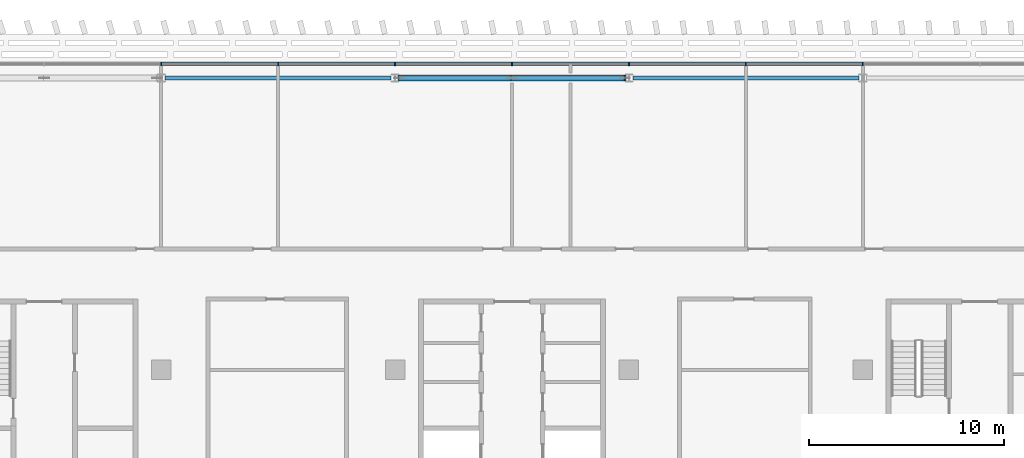
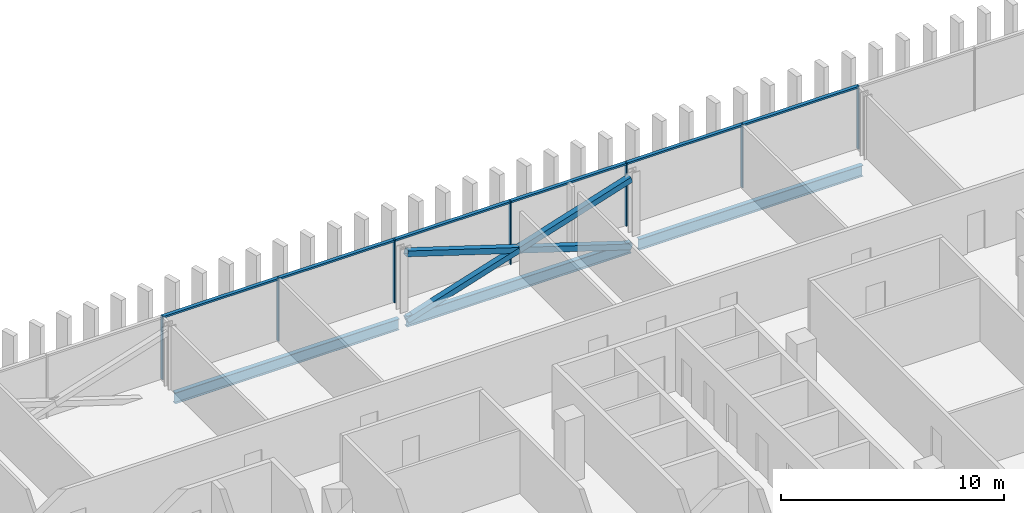
# One storey, part 10 of 34: 16 members, 3 beams, 1 element without a shape of its own.
"""IFC4 building model written with IfcOpenShell, lengths in metres."""

from ifc_helpers import new_model, si_unit, direction, frame, origin, origin_2d, place, context, subcontext, project, spatial, rectangle, hollow_rectangle, i_section, extrude, material, material_profile, profile_set, type_object, element, aggregate, save


model = new_model("IFC4")

# Units and contexts
model_context = context("Model", 3, precision=1e-05, world=origin(), true_north=direction((0.0, 1.0)))
body_context = subcontext(model_context, "Body", "Model", "MODEL_VIEW")
ifc_project = project(units=[si_unit("LENGTHUNIT", "METRE"), si_unit("AREAUNIT", "SQUARE_METRE"), si_unit("VOLUMEUNIT", "CUBIC_METRE"), si_unit("PLANEANGLEUNIT", "RADIAN"), si_unit("MASSUNIT", "GRAM", prefix="KILO")], contexts=[model_context])

# Site, building, storey
site_placement = place(None, origin())
site = spatial("IfcSite", under=ifc_project, at=site_placement, CompositionType="ELEMENT")
building_placement = place(site_placement, origin())
building = spatial("IfcBuilding", under=site, at=building_placement, Name="Mahtab Terrace Research Tower", CompositionType="ELEMENT")
storey_placement = place(building_placement, frame((0.0, 0.0, 247.60009765625)))
storey = spatial("IfcBuildingStorey", under=building, at=storey_placement, Name="L60", CompositionType="ELEMENT", Elevation=247.60009765625)

# Members
ifc_material_1 = material(Name="Steel ASTM A500 Gr C", Category="steel")
ifc_material_profile_1 = material_profile(ifc_material_1, hollow_rectangle(XDim=0.3046875, YDim=0.3046875, WallThickness=0.015869140625, at=origin_2d()), Name="HSS12X12X5/8")
ifc_profile_set_1 = profile_set([ifc_material_profile_1], Name="Steel ASTM A500 Gr C")
member_type_1 = type_object("IfcMemberType", Name="HSS 12x12x5/8 brace XB121258", PredefinedType="BRACE", material=ifc_profile_set_1)
member_1_placement = place(storey_placement, frame((5.800537109375, 26.472900390625, -0.58056640625), z_axis=(-0.953338568311, 0.0, 0.301903252998), x_axis=(0.0, -1.0, 0.0)))
element("IfcMember", 1, at=member_1_placement, inside=storey, type_object=member_type_1, Name="Exoskeleton brace L60 05 a", PredefinedType="BRACE", context=body_context, shape_type="SweptSolid", body=[
    extrude(hollow_rectangle(XDim=0.3046875, YDim=0.3046875, WallThickness=0.015869140625, at=origin_2d()), origin(), (0.0, 0.0, 1.0), 12.1689453125),
])
for number, where, z_axis, x_axis, name in (
    (2, (-5.800537109375, 26.472900390625, -0.58056640625), (0.953338568311, 0.0, 0.301903252998), (0.0, 1.0, 0.0), "Exoskeleton brace L60 05 b1"),
    (3, (0.0, 26.472900390625, 1.25634765625), (0.953338568311, 0.0, 0.301903252998), (0.0, 1.0, 0.0), "Exoskeleton brace L60 05 b2"),
):
    element("IfcMember", number, at=place(storey_placement, frame(where, z_axis=z_axis, x_axis=x_axis)), inside=storey, type_object=member_type_1, Name=name, PredefinedType="BRACE", context=body_context, shape_type="SweptSolid", body=[
        extrude(hollow_rectangle(XDim=0.3046875, YDim=0.3046875, WallThickness=0.015869140625, at=origin_2d()), origin(), (0.0, 0.0, 1.0), 6.08447265625),
    ])

# Curtain wall, members
ifc_material_2 = material(Name="Office ribbon curtain wall")
curtain_wall_type = type_object("IfcCurtainWallType", Name="Office ribbon curtain wall", PredefinedType="NOTDEFINED", material=ifc_material_2)
curtain_wall_placement = place(storey_placement, origin())
curtain_wall = element("IfcCurtainWall", 4, at=curtain_wall_placement, inside=storey, type_object=curtain_wall_type, Name="EN.L60.3.3", PredefinedType="NOTDEFINED")
ifc_material_3 = material(Name="Natural anodised aluminium", Category="aluminium")
ifc_material_profile_2 = material_profile(ifc_material_3, rectangle(XDim=0.179931640625, YDim=0.06005859375, at=origin_2d()), Name="MULLION 60x180")
ifc_profile_set_2 = profile_set([ifc_material_profile_2], Name="Natural anodised aluminium")
member_type_2 = type_object("IfcMemberType", Name="Office ribbon curtain wall mullion", PredefinedType="MULLION", material=ifc_profile_set_2)
member_2_placement = place(storey_placement, frame((18.0, 27.195068359375, 0.0), z_axis=(0.0, 0.0, 1.0), x_axis=(0.0, -1.0, 0.0)))
member_2 = element("IfcMember", 5, at=member_2_placement, type_object=member_type_2, Name="CWO-7 mullion 6", PredefinedType="MULLION", context=body_context, shape_type="SweptSolid", body=[
    extrude(rectangle(XDim=0.179931640625, YDim=0.06005859375, at=origin_2d()), origin(), (0.0, 0.0, 1.0), 3.4599609375),
])
member_3_placement = place(storey_placement, frame((12.0, 27.195068359375, 0.0), z_axis=(0.0, 0.0, 1.0), x_axis=(0.0, -1.0, 0.0)))
member_3 = element("IfcMember", 6, at=member_3_placement, type_object=member_type_2, Name="CWO-7 mullion 7", PredefinedType="MULLION", context=body_context, shape_type="SweptSolid", body=[
    extrude(rectangle(XDim=0.179931640625, YDim=0.06005859375, at=origin_2d()), origin(), (0.0, 0.0, 1.0), 3.4599609375),
])
member_4_placement = place(storey_placement, frame((6.0, 27.195068359375, 0.0), z_axis=(0.0, 0.0, 1.0), x_axis=(0.0, -1.0, 0.0)))
member_4 = element("IfcMember", 7, at=member_4_placement, type_object=member_type_2, Name="CWO-7 mullion 8", PredefinedType="MULLION", context=body_context, shape_type="SweptSolid", body=[
    extrude(rectangle(XDim=0.179931640625, YDim=0.06005859375, at=origin_2d()), origin(), (0.0, 0.0, 1.0), 3.4599609375),
])
member_5_placement = place(storey_placement, frame((0.0, 27.195068359375, 0.0), z_axis=(0.0, 0.0, 1.0), x_axis=(0.0, -1.0, 0.0)))
member_5 = element("IfcMember", 8, at=member_5_placement, type_object=member_type_2, Name="CWO-7 mullion 9", PredefinedType="MULLION", context=body_context, shape_type="SweptSolid", body=[
    extrude(rectangle(XDim=0.179931640625, YDim=0.06005859375, at=origin_2d()), origin(), (0.0, 0.0, 1.0), 3.4599609375),
])
member_6_placement = place(storey_placement, frame((-6.0, 27.195068359375, 0.0), z_axis=(0.0, 0.0, 1.0), x_axis=(0.0, -1.0, 0.0)))
member_6 = element("IfcMember", 9, at=member_6_placement, type_object=member_type_2, Name="CWO-7 mullion 10", PredefinedType="MULLION", context=body_context, shape_type="SweptSolid", body=[
    extrude(rectangle(XDim=0.179931640625, YDim=0.06005859375, at=origin_2d()), origin(), (0.0, 0.0, 1.0), 3.4599609375),
])
member_7_placement = place(storey_placement, frame((-12.0, 27.195068359375, 0.0), z_axis=(0.0, 0.0, 1.0), x_axis=(0.0, -1.0, 0.0)))
member_7 = element("IfcMember", 10, at=member_7_placement, type_object=member_type_2, Name="CWO-7 mullion 11", PredefinedType="MULLION", context=body_context, shape_type="SweptSolid", body=[
    extrude(rectangle(XDim=0.179931640625, YDim=0.06005859375, at=origin_2d()), origin(), (0.0, 0.0, 1.0), 3.4599609375),
])
member_8_placement = place(storey_placement, frame((-18.0, 27.195068359375, 0.0), z_axis=(0.0, 0.0, 1.0), x_axis=(0.0, -1.0, 0.0)))
member_8 = element("IfcMember", 11, at=member_8_placement, type_object=member_type_2, Name="CWO-7 mullion 12", PredefinedType="MULLION", context=body_context, shape_type="SweptSolid", body=[
    extrude(rectangle(XDim=0.179931640625, YDim=0.06005859375, at=origin_2d()), origin(), (0.0, 0.0, 1.0), 3.4599609375),
])
ifc_material_profile_3 = material_profile(ifc_material_3, rectangle(XDim=0.179931640625, YDim=0.10009765625, at=origin_2d()), Name="TRANSOM 100x180")
ifc_profile_set_3 = profile_set([ifc_material_profile_3], Name="Natural anodised aluminium")
member_type_3 = type_object("IfcMemberType", Name="Office ribbon curtain wall transom", PredefinedType="USERDEFINED", material=ifc_profile_set_3)
member_9_placement = place(storey_placement, frame((17.969970703125, 27.195068359375, 3.409912109375), z_axis=(-1.0, 0.0, 0.0), x_axis=(0.0, -1.0, 0.0)))
member_9 = element("IfcMember", 12, at=member_9_placement, type_object=member_type_3, Name="CWO-7 transom 6", ObjectType="TRANSOM", PredefinedType="USERDEFINED", context=body_context, shape_type="SweptSolid", body=[
    extrude(rectangle(XDim=0.179931640625, YDim=0.10009765625, at=origin_2d()), origin(), (0.0, 0.0, 1.0), 5.93994140625),
])
member_10_placement = place(storey_placement, frame((11.969970703125, 27.195068359375, 3.409912109375), z_axis=(-1.0, 0.0, 0.0), x_axis=(0.0, -1.0, 0.0)))
member_10 = element("IfcMember", 13, at=member_10_placement, type_object=member_type_3, Name="CWO-7 transom 7", ObjectType="TRANSOM", PredefinedType="USERDEFINED", context=body_context, shape_type="SweptSolid", body=[
    extrude(rectangle(XDim=0.179931640625, YDim=0.10009765625, at=origin_2d()), origin(), (0.0, 0.0, 1.0), 5.93994140625),
])
member_11_placement = place(storey_placement, frame((5.969970703125, 27.195068359375, 3.409912109375), z_axis=(-1.0, 0.0, 0.0), x_axis=(0.0, -1.0, 0.0)))
member_11 = element("IfcMember", 14, at=member_11_placement, type_object=member_type_3, Name="CWO-7 transom 8", ObjectType="TRANSOM", PredefinedType="USERDEFINED", context=body_context, shape_type="SweptSolid", body=[
    extrude(rectangle(XDim=0.179931640625, YDim=0.10009765625, at=origin_2d()), origin(), (0.0, 0.0, 1.0), 5.93994140625),
])
member_12_placement = place(storey_placement, frame((-0.030029296875, 27.195068359375, 3.409912109375), z_axis=(-1.0, 0.0, 0.0), x_axis=(0.0, -1.0, 0.0)))
member_12 = element("IfcMember", 15, at=member_12_placement, type_object=member_type_3, Name="CWO-7 transom 9", ObjectType="TRANSOM", PredefinedType="USERDEFINED", context=body_context, shape_type="SweptSolid", body=[
    extrude(rectangle(XDim=0.179931640625, YDim=0.10009765625, at=origin_2d()), origin(), (0.0, 0.0, 1.0), 5.93994140625),
])
member_13_placement = place(storey_placement, frame((-6.030029296875, 27.195068359375, 3.409912109375), z_axis=(-1.0, 0.0, 0.0), x_axis=(0.0, -1.0, 0.0)))
member_13 = element("IfcMember", 16, at=member_13_placement, type_object=member_type_3, Name="CWO-7 transom 10", ObjectType="TRANSOM", PredefinedType="USERDEFINED", context=body_context, shape_type="SweptSolid", body=[
    extrude(rectangle(XDim=0.179931640625, YDim=0.10009765625, at=origin_2d()), origin(), (0.0, 0.0, 1.0), 5.93994140625),
])
member_14_placement = place(storey_placement, frame((-12.030029296875, 27.195068359375, 3.409912109375), z_axis=(-1.0, 0.0, 0.0), x_axis=(0.0, -1.0, 0.0)))
member_14 = element("IfcMember", 17, at=member_14_placement, type_object=member_type_3, Name="CWO-7 transom 11", ObjectType="TRANSOM", PredefinedType="USERDEFINED", context=body_context, shape_type="SweptSolid", body=[
    extrude(rectangle(XDim=0.179931640625, YDim=0.10009765625, at=origin_2d()), origin(), (0.0, 0.0, 1.0), 5.93994140625),
])
aggregate(curtain_wall, [member_2, member_3, member_4, member_5, member_6, member_7, member_8, member_9, member_10, member_11, member_12, member_13, member_14])

# Beams
ifc_material_4 = material(Name="Steel ASTM A992 Gr 50", Category="steel")
ifc_material_profile_4 = material_profile(ifc_material_4, i_section(OverallWidth=0.228271484375, OverallDepth=0.607177734375, WebThickness=0.01123046875, FlangeThickness=0.017333984375, at=origin_2d()), Name="W24X76")
ifc_profile_set_4 = profile_set([ifc_material_profile_4], Name="Steel ASTM A992 Gr 50")
beam_type = type_object("IfcBeamType", Name="W24x76 beam BS2476", PredefinedType="BEAM", material=ifc_profile_set_4)
for number, where, z_axis, x_axis, name in (
    (18, (17.800537109375, 26.472900390625, -0.6435546875), (-1.0, 0.0, 0.0), (0.0, -1.0, 0.0), "Spandrel beam L60 04"),
    (19, (5.800537109375, 26.472900390625, -0.6435546875), (-1.0, 0.0, 0.0), (0.0, -1.0, 0.0), "Spandrel beam L60 05"),
    (20, (-6.199462890625, 26.472900390625, -0.6435546875), (-1.0, 0.0, 0.0), (0.0, -1.0, 0.0), "Spandrel beam L60 06"),
):
    element("IfcBeam", number, at=place(storey_placement, frame(where, z_axis=z_axis, x_axis=x_axis)), inside=storey, type_object=beam_type, Name=name, PredefinedType="BEAM", context=body_context, shape_type="SweptSolid", body=[
        extrude(i_section(OverallWidth=0.228271484375, OverallDepth=0.607177734375, WebThickness=0.01123046875, FlangeThickness=0.017333984375, at=origin_2d()), origin(), (0.0, 0.0, 1.0), 11.60107421875),
    ])

save(model, "model.ifc")
